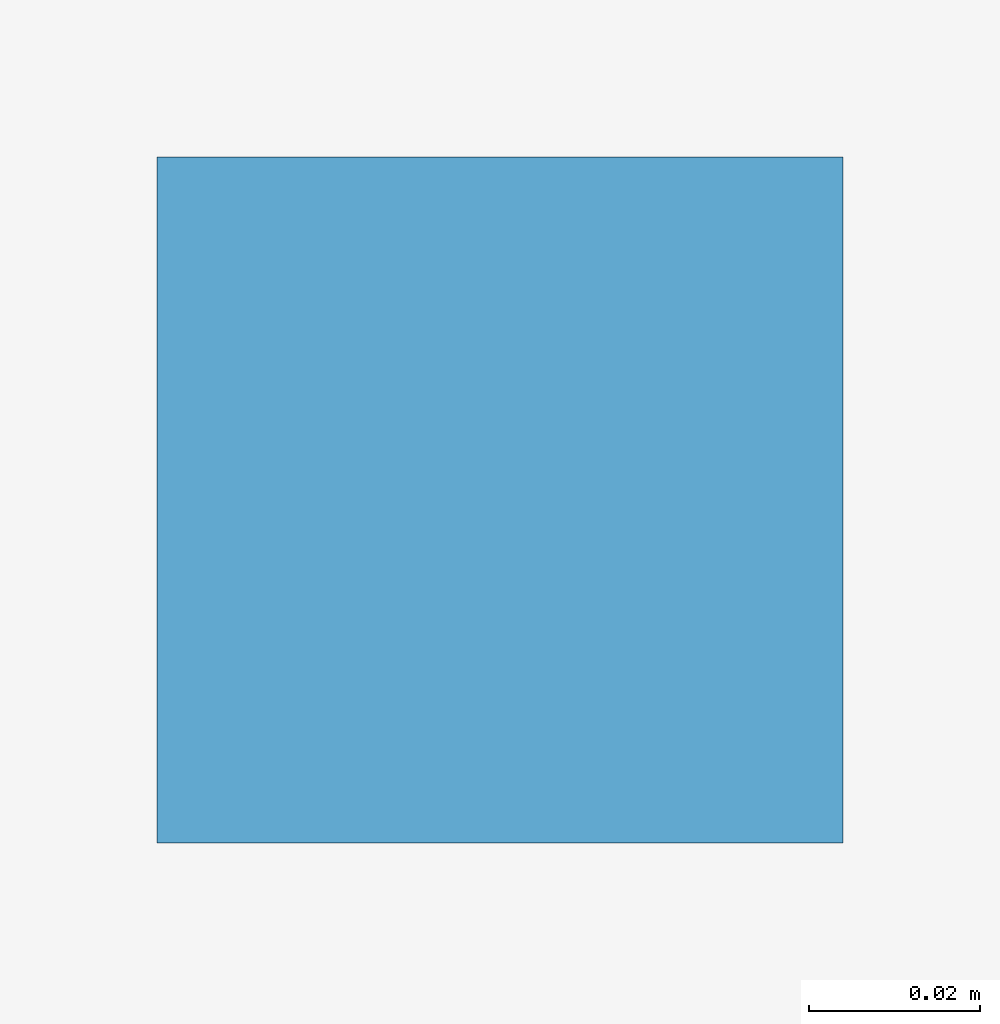
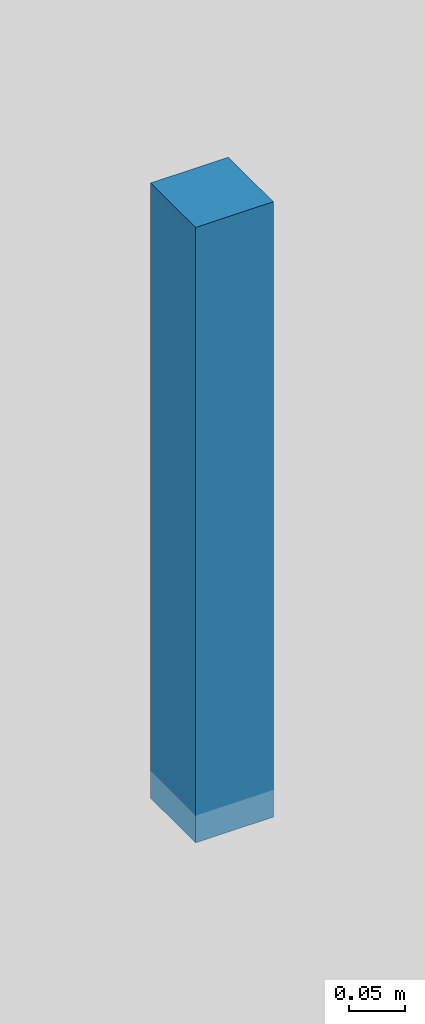
# One storey, part 11 of 15: 1 discrete accessory.
"""IFC4 building model written with IfcOpenShell, lengths in metres."""

from ifc_helpers import new_model, si_unit, direction, frame, origin, origin_2d, place, context, subcontext, project, spatial, rectangle, extrude, source, transform, mapped, material, type_object, element, save


model = new_model("IFC4")

# Units and contexts
model_context = context("Model", 3, precision=1e-05, world=origin(), true_north=direction((0.0, 1.0)))
body_context = subcontext(model_context, "Body", "Model", "MODEL_VIEW")
ifc_project = project(units=[si_unit("LENGTHUNIT", "METRE"), si_unit("AREAUNIT", "SQUARE_METRE"), si_unit("VOLUMEUNIT", "CUBIC_METRE"), si_unit("PLANEANGLEUNIT", "RADIAN"), si_unit("MASSUNIT", "GRAM", prefix="KILO")], contexts=[model_context])

# Site, building, storey
site_placement = place(None, origin())
site = spatial("IfcSite", under=ifc_project, at=site_placement, CompositionType="ELEMENT")
building_placement = place(site_placement, origin())
building = spatial("IfcBuilding", under=site, at=building_placement, Name="Giltprow Tower", CompositionType="ELEMENT")
storey_placement = place(building_placement, frame((0.0, 0.0, 156.199951171875)))
storey = spatial("IfcBuildingStorey", under=building, at=storey_placement, Name="L38", CompositionType="ELEMENT", Elevation=156.199951171875)

# Discrete accessory
ifc_material = material(Name="Structural steel Q355B", Category="steel")
discrete_accessory_type = type_object("IfcDiscreteAccessoryType", Name="ACC-CLG-HANGER", PredefinedType="BRACKET", material=ifc_material)
shared_shape = source(origin(), body_context, "Body", "SweptSolid", [
    extrude(rectangle(XDim=0.080078125, YDim=0.080078125, at=origin_2d()), origin(), (0.0, 0.0, 1.0), 0.669921875),
])
discrete_accessory_placement = place(storey_placement, frame((35.0, 35.550048828125, 2.6201171875), z_axis=(0.0, 0.0, 1.0), x_axis=(1.0, 0.0, 0.0)))
element("IfcDiscreteAccessory", 1, at=discrete_accessory_placement, inside=storey, type_object=discrete_accessory_type, Name="L38 Hotel Corridor Gypsum Ceiling Suspension Hanger", PredefinedType="BRACKET", context=body_context, shape_type="MappedRepresentation", body=[
    mapped(shared_shape, transform((0.0, 0.0, 0.0), x_axis=(1.0, 0.0, 0.0), y_axis=(0.0, 1.0, 0.0), z_axis=(0.0, 0.0, 1.0), scale=1.0)),
])

save(model, "model.ifc")
